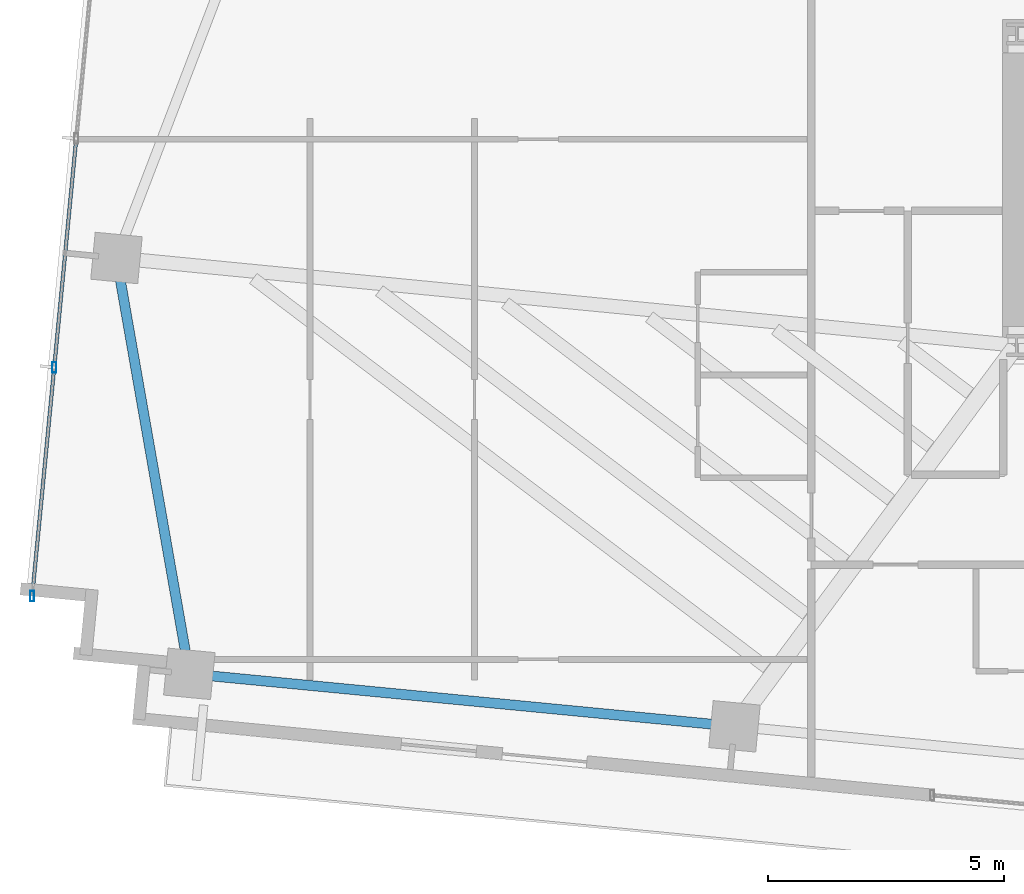
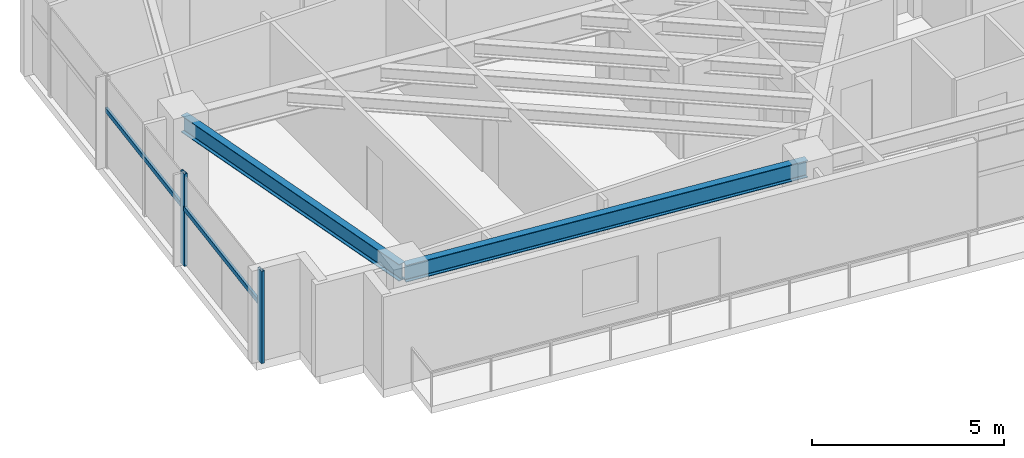
# One storey, part 2 of 19: 4 members, 2 beams, 1 element without a shape of its own.
"""IFC4 building model written with IfcOpenShell, lengths in metres."""

from ifc_helpers import new_model, si_unit, direction, frame, origin, origin_2d, place, context, subcontext, project, spatial, hollow_rectangle, i_section, extrude, source, transform, mapped, material, material_profile, profile_set, type_object, type_shapes, element, aggregate, save


model = new_model("IFC4")

# Units and contexts
model_context = context("Model", 3, precision=1e-05, world=origin(), true_north=direction((0.0, 1.0)))
body_context = subcontext(model_context, "Body", "Model", "MODEL_VIEW")
ifc_project = project(units=[si_unit("LENGTHUNIT", "METRE"), si_unit("AREAUNIT", "SQUARE_METRE"), si_unit("VOLUMEUNIT", "CUBIC_METRE"), si_unit("PLANEANGLEUNIT", "RADIAN"), si_unit("MASSUNIT", "GRAM", prefix="KILO")], contexts=[model_context])

# Site, building, storey
site_placement = place(None, origin())
site = spatial("IfcSite", under=ifc_project, at=site_placement, CompositionType="ELEMENT")
building_placement = place(site_placement, origin())
building = spatial("IfcBuilding", under=site, at=building_placement, Name="Astriad Promenade Condominiums", CompositionType="ELEMENT")
storey_placement = place(building_placement, frame((0.0, 0.0, 140.60009765625)))
storey = spatial("IfcBuildingStorey", under=building, at=storey_placement, Name="L40", CompositionType="ELEMENT", Elevation=140.60009765625)

# Beams
ifc_material_1 = material(Name="Steel ASTM A992 Grade 50", Category="steel")
ifc_material_profile_1 = material_profile(ifc_material_1, i_section(OverallWidth=0.210693359375, OverallDepth=0.53955078125, WebThickness=0.01171875, FlangeThickness=0.018798828125, FilletRadius=0.0166015625, at=origin_2d()), Name="W21X73")
ifc_profile_set_1 = profile_set([ifc_material_profile_1], Name="Steel ASTM A992 Grade 50")
beam_type = type_object("IfcBeamType", Name="STEEL SPANDREL BEAM W21X73", PredefinedType="SPANDREL", material=ifc_profile_set_1)
shared_shape_1 = source(origin(), body_context, "Body", "SweptSolid", [
    extrude(i_section(OverallWidth=0.210693359375, OverallDepth=0.53955078125, WebThickness=0.01171875, FlangeThickness=0.018798828125, FilletRadius=0.0166015625, at=origin_2d()), origin(), (0.0, 0.0, 1.0), 11.52001953125),
])
beam_1_placement = place(storey_placement, frame((8.92041015625, 10.439453125, 2.670166015625), z_axis=(0.9953953902, -0.095854145285, 0.0), x_axis=(0.095854145285, 0.9953953902, 0.0)))
element("IfcBeam", 1, at=beam_1_placement, inside=storey, type_object=beam_type, Name="Perimeter Spandrel Beam SP-S1-L40", PredefinedType="SPANDREL", context=body_context, shape_type="MappedRepresentation", body=[
    mapped(shared_shape_1, transform((0.0, 0.0, 0.0), scale=1.0)),
])
shared_shape_2 = source(origin(), body_context, "Body", "SweptSolid", [
    extrude(i_section(OverallWidth=0.210693359375, OverallDepth=0.53955078125, WebThickness=0.01171875, FlangeThickness=0.018798828125, FilletRadius=0.0166015625, at=origin_2d()), origin(), (0.0, 0.0, 1.0), 8.862548828125),
])
type_shapes(beam_type, [shared_shape_1, shared_shape_2])
beam_2_placement = place(storey_placement, frame((7.3447265625, 19.21240234375, 2.670166015625), z_axis=(0.172528005434, -0.985004612853, 0.0), x_axis=(0.985004612853, 0.172528005434, 0.0)))
element("IfcBeam", 2, at=beam_2_placement, inside=storey, type_object=beam_type, Name="Perimeter Spandrel Beam SP-W1-L40", PredefinedType="SPANDREL", context=body_context, shape_type="MappedRepresentation", body=[
    mapped(shared_shape_2, transform((0.0, 0.0, 0.0), scale=1.0)),
])

# Curtain wall, members
ifc_material_2 = material(Name="Anodised aluminium Black Dark Glass Unitised", Category="aluminium")
curtain_wall_type = type_object("IfcCurtainWallType", Name="CW-B34-DARK", PredefinedType="USERDEFINED", material=ifc_material_2)
curtain_wall_placement = place(storey_placement, origin())
curtain_wall = element("IfcCurtainWall", 3, at=curtain_wall_placement, inside=storey, type_object=curtain_wall_type, Name="CW-L40-W", ObjectType="UNITISED_CURTAIN_WALL", PredefinedType="USERDEFINED")
ifc_material_3 = material(Name="Anodised aluminium 6063-T6 Black", Category="aluminium")
ifc_material_profile_2 = material_profile(ifc_material_3, hollow_rectangle(XDim=0.0849609375, YDim=0.219970703125, WallThickness=0.0048828125, at=origin_2d()), Name="ALU-MUL-85X220")
ifc_profile_set_2 = profile_set([ifc_material_profile_2], Name="Anodised aluminium 6063-T6 Black")
member_type_1 = type_object("IfcMemberType", Name="MUL-ALU-MUL-85X220", PredefinedType="MULLION", material=ifc_profile_set_2)
shared_shape_3 = source(origin(), body_context, "Body", "SweptSolid", [
    extrude(hollow_rectangle(XDim=0.0849609375, YDim=0.219970703125, WallThickness=0.0048828125, at=origin_2d()), origin(), (0.0, 0.0, 1.0), 2.93994140625),
])
type_shapes(member_type_1, [shared_shape_3])
member_1_placement = place(storey_placement, frame((5.552978515625, 12.08984375, 0.0), z_axis=(0.0, 0.0, 1.0), x_axis=(1.0, 0.0, 0.0)))
member_1 = element("IfcMember", 4, at=member_1_placement, type_object=member_type_1, Name="CW-L40-W-MUL-00", PredefinedType="MULLION", context=body_context, shape_type="MappedRepresentation", body=[
    mapped(shared_shape_3, transform((0.0, 0.0, 0.0), scale=1.0)),
])
member_2_placement = place(storey_placement, frame((6.01953125, 16.93408203125, 0.0), z_axis=(0.0, 0.0, 1.0), x_axis=(1.0, 0.0, 0.0)))
member_2 = element("IfcMember", 5, at=member_2_placement, type_object=member_type_1, Name="CW-L40-W-MUL-01", PredefinedType="MULLION", context=body_context, shape_type="MappedRepresentation", body=[
    mapped(shared_shape_3, transform((0.0, 0.0, 0.0), scale=1.0)),
])
ifc_material_profile_3 = material_profile(ifc_material_3, hollow_rectangle(XDim=0.074951171875, YDim=0.14990234375, WallThickness=0.004150390625, at=origin_2d()), Name="ALU-TRN-75X150")
ifc_profile_set_3 = profile_set([ifc_material_profile_3], Name="Anodised aluminium 6063-T6 Black")
member_type_2 = type_object("IfcMemberType", Name="TRN-ALU-TRN-75X150", PredefinedType="USERDEFINED", material=ifc_profile_set_3)
shared_shape_4 = source(origin(), body_context, "Body", "SweptSolid", [
    extrude(hollow_rectangle(XDim=0.074951171875, YDim=0.14990234375, WallThickness=0.004150390625, at=origin_2d()), origin(), (0.0, 0.0, 1.0), 4.86669921875),
])
type_shapes(member_type_2, [shared_shape_4])
member_3_placement = place(storey_placement, frame((5.552978515625, 12.08984375, 1.82275390625), z_axis=(0.095867260207, 0.995394127178, 0.0), x_axis=(-0.995394127178, 0.095867260207, 0.0)))
member_3 = element("IfcMember", 6, at=member_3_placement, type_object=member_type_2, Name="CW-L40-W-TRN-00-0", ObjectType="TRANSOM", PredefinedType="USERDEFINED", context=body_context, shape_type="MappedRepresentation", body=[
    mapped(shared_shape_4, transform((0.0, 0.0, 0.0), scale=1.0)),
])
member_4_placement = place(storey_placement, frame((6.01953125, 16.93408203125, 1.82275390625), z_axis=(0.095867260207, 0.995394127178, 0.0), x_axis=(-0.995394127178, 0.095867260207, 0.0)))
member_4 = element("IfcMember", 7, at=member_4_placement, type_object=member_type_2, Name="CW-L40-W-TRN-01-0", ObjectType="TRANSOM", PredefinedType="USERDEFINED", context=body_context, shape_type="MappedRepresentation", body=[
    mapped(shared_shape_4, transform((0.0, 0.0, 0.0), scale=1.0)),
])
aggregate(curtain_wall, [member_1, member_2, member_3, member_4])

save(model, "model.ifc")
